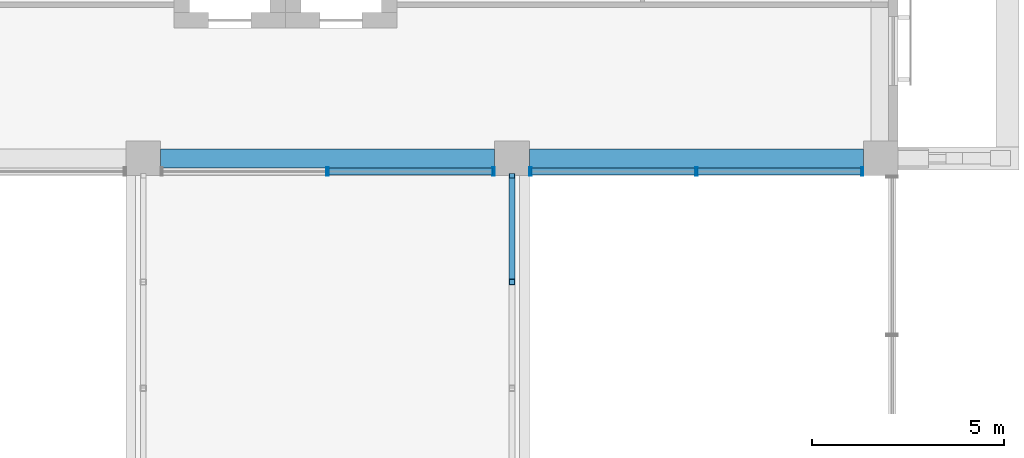
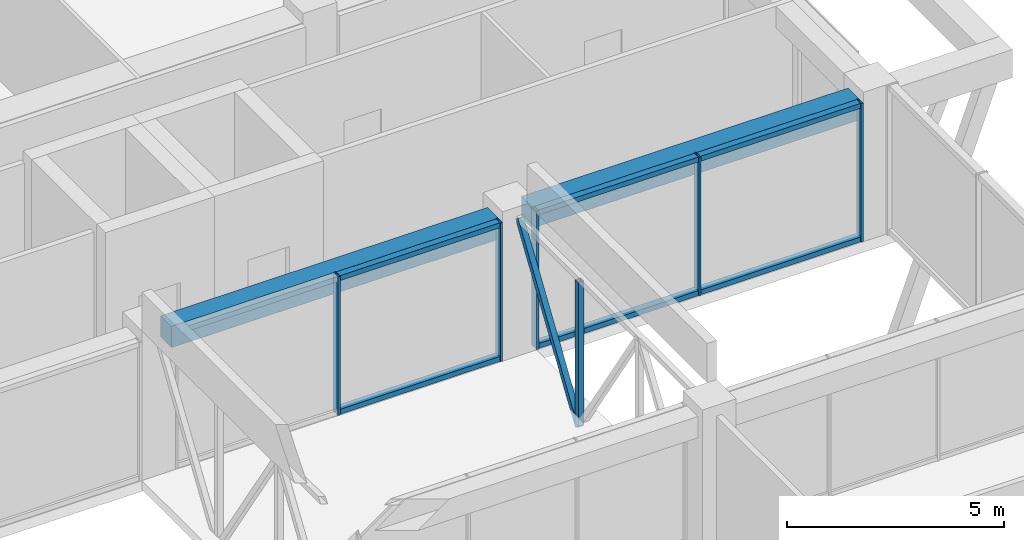
# One storey, part 19 of 38: 13 members, 2 beams, 2 elements without a shape of their own.
"""IFC4 building model written with IfcOpenShell, lengths in metres."""

from ifc_helpers import new_model, si_unit, direction, frame, origin, origin_2d, place, context, subcontext, project, spatial, rectangle, hollow_rectangle, extrude, material, layer, layer_set, material_profile, profile_set, type_object, element, aggregate, save


model = new_model("IFC4")

# Units and contexts
model_context = context("Model", 3, precision=1e-05, world=origin(), true_north=direction((0.0, 1.0)))
body_context = subcontext(model_context, "Body", "Model", "MODEL_VIEW")
ifc_project = project(units=[si_unit("LENGTHUNIT", "METRE"), si_unit("AREAUNIT", "SQUARE_METRE"), si_unit("VOLUMEUNIT", "CUBIC_METRE"), si_unit("PLANEANGLEUNIT", "RADIAN"), si_unit("MASSUNIT", "GRAM", prefix="KILO")], contexts=[model_context])

# Site, building, storey
site_placement = place(None, origin())
site = spatial("IfcSite", under=ifc_project, at=site_placement, CompositionType="ELEMENT")
building_placement = place(site_placement, origin())
building = spatial("IfcBuilding", under=site, at=building_placement, Name="Nzadi Deep Aquarium and Research Tower", CompositionType="ELEMENT")
storey_placement = place(building_placement, frame((0.0, 0.0, 48.699951171875)))
storey = spatial("IfcBuildingStorey", under=building, at=storey_placement, Name="L09", CompositionType="ELEMENT", Elevation=48.699951171875)

# Curtain wall, members
ifc_material_1 = material(Name="Aluminium unitised frame deep", Category="aluminium")
ifc_layer = layer(ifc_material_1, 0.22509765625)
ifc_layer_set = layer_set([ifc_layer], Name="Aluminium unitised frame deep")
curtain_wall_type = type_object("IfcCurtainWallType", Name="Curtain wall Unitised Deep 225", PredefinedType="NOTDEFINED", material=ifc_layer_set)
curtain_wall_1_placement = place(storey_placement, origin())
curtain_wall_1 = element("IfcCurtainWall", 1, at=curtain_wall_1_placement, inside=storey, type_object=curtain_wall_type, Name="Unitised curtain wall blade B south L09", PredefinedType="NOTDEFINED")
ifc_material_2 = material(Name="Aluminium unitised frame deep", Category="aluminium")
ifc_material_profile_1 = material_profile(ifc_material_2, hollow_rectangle(XDim=0.22509765625, YDim=0.06005859375, WallThickness=0.0048828125, at=origin_2d()))
ifc_profile_set_1 = profile_set([ifc_material_profile_1], Name="Aluminium unitised frame deep")
member_type_1 = type_object("IfcMemberType", Name="Mullion 60x225 Unitised Deep", PredefinedType="MULLION", material=ifc_profile_set_1)
member_1_placement = place(storey_placement, frame((33.60009765625, 27.262451171875, 0.0), z_axis=(0.0, 0.0, 1.0), x_axis=(0.0, 1.0, 0.0)))
member_1 = element("IfcMember", 2, at=member_1_placement, type_object=member_type_1, Name="CW121 mullion 2", PredefinedType="MULLION", context=body_context, shape_type="SweptSolid", body=[
    extrude(hollow_rectangle(XDim=0.22509765625, YDim=0.06005859375, WallThickness=0.0048828125, at=origin_2d()), origin(), (0.0, 0.0, 1.0), 3.900146484375),
])
member_2_placement = place(storey_placement, frame((37.919921875, 27.262451171875, 0.0), z_axis=(0.0, 0.0, 1.0), x_axis=(0.0, 1.0, 0.0)))
member_2 = element("IfcMember", 3, at=member_2_placement, type_object=member_type_1, Name="CW121 mullion 3", PredefinedType="MULLION", context=body_context, shape_type="SweptSolid", body=[
    extrude(hollow_rectangle(XDim=0.22509765625, YDim=0.06005859375, WallThickness=0.0048828125, at=origin_2d()), origin(), (0.0, 0.0, 1.0), 3.900146484375),
])

curtain_wall_2_placement = place(storey_placement, origin())
curtain_wall_2 = element("IfcCurtainWall", 4, at=curtain_wall_2_placement, inside=storey, type_object=curtain_wall_type, Name="Unitised curtain wall blade B south L09", PredefinedType="NOTDEFINED")
member_3_placement = place(storey_placement, frame((38.8798828125, 27.262451171875, 0.0), z_axis=(0.0, 0.0, 1.0), x_axis=(0.0, 1.0, 0.0)))
member_3 = element("IfcMember", 5, at=member_3_placement, type_object=member_type_1, Name="CW122 mullion 1", PredefinedType="MULLION", context=body_context, shape_type="SweptSolid", body=[
    extrude(hollow_rectangle(XDim=0.22509765625, YDim=0.06005859375, WallThickness=0.0048828125, at=origin_2d()), origin(), (0.0, 0.0, 1.0), 3.900146484375),
])
member_4_placement = place(storey_placement, frame((43.199951171875, 27.262451171875, 0.0), z_axis=(0.0, 0.0, 1.0), x_axis=(0.0, 1.0, 0.0)))
member_4 = element("IfcMember", 6, at=member_4_placement, type_object=member_type_1, Name="CW122 mullion 2", PredefinedType="MULLION", context=body_context, shape_type="SweptSolid", body=[
    extrude(hollow_rectangle(XDim=0.22509765625, YDim=0.06005859375, WallThickness=0.0048828125, at=origin_2d()), origin(), (0.0, 0.0, 1.0), 3.900146484375),
])
member_5_placement = place(storey_placement, frame((47.52001953125, 27.262451171875, 0.0), z_axis=(0.0, 0.0, 1.0), x_axis=(0.0, 1.0, 0.0)))
member_5 = element("IfcMember", 7, at=member_5_placement, type_object=member_type_1, Name="CW122 mullion 3", PredefinedType="MULLION", context=body_context, shape_type="SweptSolid", body=[
    extrude(hollow_rectangle(XDim=0.22509765625, YDim=0.06005859375, WallThickness=0.0048828125, at=origin_2d()), origin(), (0.0, 0.0, 1.0), 3.900146484375),
])

# Beams
ifc_material_3 = material(Name="Concrete C35/45", Category="concrete")
ifc_material_profile_2 = material_profile(ifc_material_3, rectangle(XDim=0.5, YDim=0.60009765625, at=origin_2d()))
ifc_profile_set_2 = profile_set([ifc_material_profile_2], Name="Concrete C35/45")
beam_type = type_object("IfcBeamType", Name="RC 500x600", PredefinedType="BEAM", material=ifc_profile_set_2)
for number, where, z_axis, x_axis, name in (
    (8, (29.25, 27.60009765625, 3.60009765625), (1.0, 0.0, 0.0), (0.0, 1.0, 0.0), "B-Z1-L09-L4-4"),
    (9, (38.85009765625, 27.60009765625, 3.60009765625), (1.0, 0.0, 0.0), (0.0, 1.0, 0.0), "B-Z1-L09-L4-5"),
):
    element("IfcBeam", number, at=place(storey_placement, frame(where, z_axis=z_axis, x_axis=x_axis)), inside=storey, type_object=beam_type, Name=name, PredefinedType="BEAM", context=body_context, shape_type="SweptSolid", body=[
        extrude(rectangle(XDim=0.5, YDim=0.60009765625, at=origin_2d()), origin(), (0.0, 0.0, 1.0), 8.699951171875),
    ])

# Members
ifc_material_4 = material(Name="Steel S355", Category="steel")
ifc_material_profile_3 = material_profile(ifc_material_4, hollow_rectangle(XDim=0.14990234375, YDim=0.14990234375, WallThickness=0.010009765625, at=origin_2d()))
ifc_profile_set_3 = profile_set([ifc_material_profile_3], Name="Steel S355")
member_type_2 = type_object("IfcMemberType", Name="RHS 150x150x10 brace", PredefinedType="BRACE", material=ifc_profile_set_3)
member_6_placement = place(storey_placement, frame((38.39990234375, 24.38330078125, -0.324951171875), z_axis=(0.0, 0.550098751185, 0.835099613187), x_axis=(-1.0, 0.0, 0.0)))
element("IfcMember", 10, at=member_6_placement, inside=storey, type_object=member_type_2, Name="MB-BR-L09-T2-D3", PredefinedType="BRACE", context=body_context, shape_type="SweptSolid", body=[
    extrude(hollow_rectangle(XDim=0.14990234375, YDim=0.14990234375, WallThickness=0.010009765625, at=origin_2d()), origin(), (0.0, 0.0, 1.0), 5.029296875),
])
ifc_material_5 = material(Name="Steel S355", Category="steel")
ifc_material_profile_4 = material_profile(ifc_material_5, hollow_rectangle(XDim=0.14990234375, YDim=0.14990234375, WallThickness=0.008056640625, at=origin_2d()))
ifc_profile_set_4 = profile_set([ifc_material_profile_4], Name="Steel S355")
member_type_3 = type_object("IfcMemberType", Name="RHS 150x150x8 post", PredefinedType="POST", material=ifc_profile_set_4)
member_7_placement = place(storey_placement, frame((38.39990234375, 24.38330078125, -0.25), z_axis=(0.0, 0.0, 1.0), x_axis=(1.0, 0.0, 0.0)))
element("IfcMember", 11, at=member_7_placement, inside=storey, type_object=member_type_3, Name="MB-BR-L09-T2-V2", PredefinedType="POST", context=body_context, shape_type="SweptSolid", body=[
    extrude(hollow_rectangle(XDim=0.14990234375, YDim=0.14990234375, WallThickness=0.008056640625, at=origin_2d()), origin(), (0.0, 0.0, 1.0), 4.050048828125),
])

# Member
ifc_material_6 = material(Name="Aluminium unitised frame deep", Category="aluminium")
ifc_material_profile_5 = material_profile(ifc_material_6, hollow_rectangle(XDim=0.179931640625, YDim=0.139892578125, WallThickness=0.0048828125, at=origin_2d()))
ifc_profile_set_5 = profile_set([ifc_material_profile_5], Name="Aluminium unitised frame deep")
member_type_4 = type_object("IfcMemberType", Name="Transom 140x180 Unitised Deep", PredefinedType="MULLION", material=ifc_profile_set_5)
member_8_placement = place(storey_placement, frame((33.6298828125, 27.262451171875, 0.070068359375), z_axis=(1.0, 0.0, 0.0), x_axis=(0.0, 1.0, 0.0)))
member_8 = element("IfcMember", 12, at=member_8_placement, type_object=member_type_4, Name="CW121 transom 2.1", PredefinedType="MULLION", context=body_context, shape_type="SweptSolid", body=[
    extrude(hollow_rectangle(XDim=0.179931640625, YDim=0.139892578125, WallThickness=0.0048828125, at=origin_2d()), origin(), (0.0, 0.0, 1.0), 4.260009765625),
])

member_9_placement = place(storey_placement, frame((33.6298828125, 27.262451171875, 3.830078125), z_axis=(1.0, 0.0, 0.0), x_axis=(0.0, 1.0, 0.0)))
member_9 = element("IfcMember", 13, at=member_9_placement, type_object=member_type_4, Name="CW121 transom 2.2", PredefinedType="MULLION", context=body_context, shape_type="SweptSolid", body=[
    extrude(hollow_rectangle(XDim=0.179931640625, YDim=0.139892578125, WallThickness=0.0048828125, at=origin_2d()), origin(), (0.0, 0.0, 1.0), 4.260009765625),
])

aggregate(curtain_wall_1, [member_1, member_2, member_8, member_9])

member_10_placement = place(storey_placement, frame((38.909912109375, 27.262451171875, 0.070068359375), z_axis=(1.0, 0.0, 0.0), x_axis=(0.0, 1.0, 0.0)))
member_10 = element("IfcMember", 14, at=member_10_placement, type_object=member_type_4, Name="CW122 transom 1.1", PredefinedType="MULLION", context=body_context, shape_type="SweptSolid", body=[
    extrude(hollow_rectangle(XDim=0.179931640625, YDim=0.139892578125, WallThickness=0.0048828125, at=origin_2d()), origin(), (0.0, 0.0, 1.0), 4.260009765625),
])

member_11_placement = place(storey_placement, frame((38.909912109375, 27.262451171875, 3.830078125), z_axis=(1.0, 0.0, 0.0), x_axis=(0.0, 1.0, 0.0)))
member_11 = element("IfcMember", 15, at=member_11_placement, type_object=member_type_4, Name="CW122 transom 1.2", PredefinedType="MULLION", context=body_context, shape_type="SweptSolid", body=[
    extrude(hollow_rectangle(XDim=0.179931640625, YDim=0.139892578125, WallThickness=0.0048828125, at=origin_2d()), origin(), (0.0, 0.0, 1.0), 4.260009765625),
])

member_12_placement = place(storey_placement, frame((43.22998046875, 27.262451171875, 0.070068359375), z_axis=(1.0, 0.0, 0.0), x_axis=(0.0, 1.0, 0.0)))
member_12 = element("IfcMember", 16, at=member_12_placement, type_object=member_type_4, Name="CW122 transom 2.1", PredefinedType="MULLION", context=body_context, shape_type="SweptSolid", body=[
    extrude(hollow_rectangle(XDim=0.179931640625, YDim=0.139892578125, WallThickness=0.0048828125, at=origin_2d()), origin(), (0.0, 0.0, 1.0), 4.260009765625),
])

member_13_placement = place(storey_placement, frame((43.22998046875, 27.262451171875, 3.830078125), z_axis=(1.0, 0.0, 0.0), x_axis=(0.0, 1.0, 0.0)))
member_13 = element("IfcMember", 17, at=member_13_placement, type_object=member_type_4, Name="CW122 transom 2.2", PredefinedType="MULLION", context=body_context, shape_type="SweptSolid", body=[
    extrude(hollow_rectangle(XDim=0.179931640625, YDim=0.139892578125, WallThickness=0.0048828125, at=origin_2d()), origin(), (0.0, 0.0, 1.0), 4.260009765625),
])

aggregate(curtain_wall_2, [member_3, member_4, member_5, member_10, member_11, member_12, member_13])

save(model, "model.ifc")
